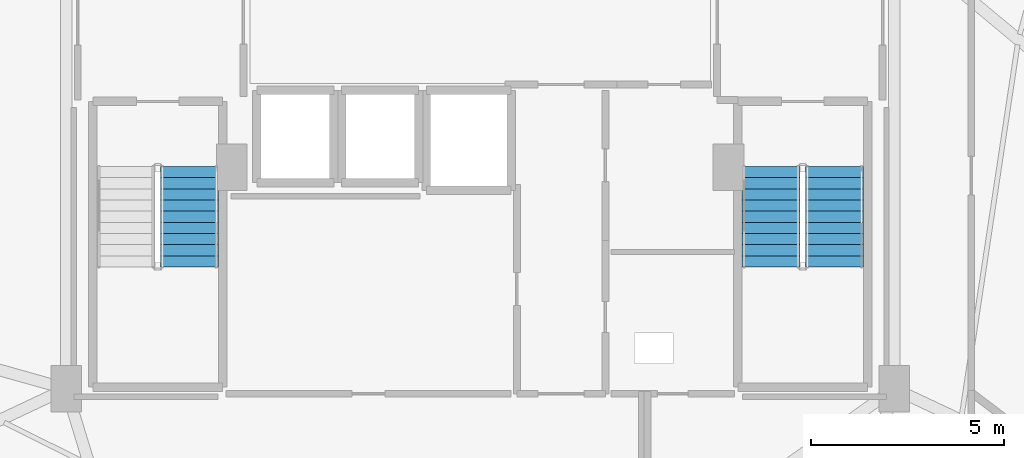
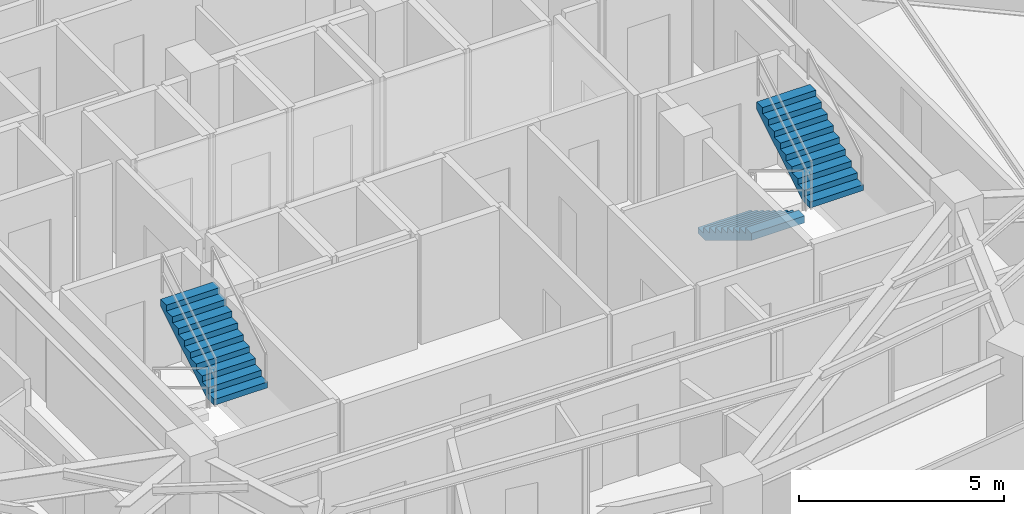
# One storey, part 26 of 30: 3 stair flights, 2 elements without a shape of their own.
"""IFC4 building model written with IfcOpenShell, lengths in metres."""

from ifc_helpers import new_model, si_unit, direction, frame, origin, place, context, subcontext, project, spatial, polyline, outline, extrude, material, type_object, element, aggregate, save


model = new_model("IFC4")

# Units and contexts
model_context = context("Model", 3, precision=1e-05, world=origin(), true_north=direction((0.0, 1.0)))
body_context = subcontext(model_context, "Body", "Model", "MODEL_VIEW")
ifc_project = project(units=[si_unit("LENGTHUNIT", "METRE"), si_unit("AREAUNIT", "SQUARE_METRE"), si_unit("VOLUMEUNIT", "CUBIC_METRE"), si_unit("PLANEANGLEUNIT", "RADIAN"), si_unit("MASSUNIT", "GRAM", prefix="KILO")], contexts=[model_context])

# Site, building, storey
site_placement = place(None, origin())
site = spatial("IfcSite", under=ifc_project, at=site_placement, CompositionType="ELEMENT")
building_placement = place(site_placement, origin())
building = spatial("IfcBuilding", under=site, at=building_placement, Name="Vorneva Point Tower", CompositionType="ELEMENT")
storey_placement = place(building_placement, frame((0.0, 0.0, 92.800048828125)))
storey = spatial("IfcBuildingStorey", under=building, at=storey_placement, Name="L24", CompositionType="ELEMENT", Elevation=92.800048828125)

# Stair, stair flight
ifc_material = material(Name="Concrete B50 (C40/50)", Category="concrete")
stair_type = type_object("IfcStairType", Name="ST-DOG-1500", PredefinedType="HALF_TURN_STAIR", material=ifc_material)
stair_1_placement = place(storey_placement, origin())
stair_1 = element("IfcStair", 1, at=stair_1_placement, inside=storey, type_object=stair_type, Name="L24 ST1", PredefinedType="HALF_TURN_STAIR")
stair_flight_type = type_object("IfcStairFlightType", Name="STF-1500", PredefinedType="STRAIGHT", material=ifc_material)
stair_flight_1_placement = place(storey_placement, frame((30.449951171875, 19.610107421875, 1.75), z_axis=(0.0, 0.0, 1.0), x_axis=(0.0, 1.0, 0.0)))
stair_flight_1 = element("IfcStairFlight", 2, at=stair_flight_1_placement, type_object=stair_flight_type, Name="ST1 flight 2", NumberOfRisers=10, NumberOfTreads=9, PredefinedType="STRAIGHT", RiserHeight=0.175, TreadLength=0.29, context=body_context, shape_type="SweptSolid", body=[
    extrude(outline(polyline([(0.0, 0.0), (0.0, 0.175048828125), (0.2900390625, 0.175048828125), (0.2900390625, 0.35009765625), (0.580078125, 0.35009765625), (0.580078125, 0.52490234375), (0.8701171875, 0.52490234375), (0.8701171875, 0.699951171875), (1.159912109375, 0.699951171875), (1.159912109375, 0.875), (1.449951171875, 0.875), (1.449951171875, 1.050048828125), (1.739990234375, 1.050048828125), (1.739990234375, 1.22509765625), (2.030029296875, 1.22509765625), (2.030029296875, 1.39990234375), (2.320068359375, 1.39990234375), (2.320068359375, 1.574951171875), (2.610107421875, 1.574951171875), (2.610107421875, 1.75), (2.610107421875, 1.36474609375), (0.34814453125, 0.0), (0.0, 0.0)])), frame((0.0, 0.75, 0.0), z_axis=(0.0, -1.0, 0.0), x_axis=(1.0, 0.0, 0.0)), (0.0, 0.0, 1.0), 1.5),
])
aggregate(stair_1, [stair_flight_1])

# Stair, stair flights
stair_2_placement = place(storey_placement, origin())
stair_2 = element("IfcStair", 3, at=stair_2_placement, inside=storey, type_object=stair_type, Name="L24 ST2", PredefinedType="HALF_TURN_STAIR")
stair_flight_2_placement = place(storey_placement, frame((45.550048828125, 22.219970703125, 0.0), z_axis=(0.0, 0.0, 1.0), x_axis=(0.0, -1.0, 0.0)))
stair_flight_2 = element("IfcStairFlight", 4, at=stair_flight_2_placement, type_object=stair_flight_type, Name="ST2 flight 1", NumberOfRisers=10, NumberOfTreads=9, PredefinedType="STRAIGHT", RiserHeight=0.175, TreadLength=0.29, context=body_context, shape_type="SweptSolid", body=[
    extrude(outline(polyline([(0.0, 0.0), (0.0, 0.175048828125), (0.2900390625, 0.175048828125), (0.2900390625, 0.35009765625), (0.580078125, 0.35009765625), (0.580078125, 0.52490234375), (0.8701171875, 0.52490234375), (0.8701171875, 0.699951171875), (1.159912109375, 0.699951171875), (1.159912109375, 0.875), (1.449951171875, 0.875), (1.449951171875, 1.050048828125), (1.739990234375, 1.050048828125), (1.739990234375, 1.22509765625), (2.030029296875, 1.22509765625), (2.030029296875, 1.39990234375), (2.320068359375, 1.39990234375), (2.320068359375, 1.574951171875), (2.610107421875, 1.574951171875), (2.610107421875, 1.75), (2.610107421875, 1.36474609375), (0.34814453125, 0.0), (0.0, 0.0)])), frame((0.0, 0.75, 0.0), z_axis=(0.0, -1.0, 0.0), x_axis=(1.0, 0.0, 0.0)), (0.0, 0.0, 1.0), 1.5),
])
stair_flight_3_placement = place(storey_placement, frame((47.199951171875, 19.610107421875, 1.75), z_axis=(0.0, 0.0, 1.0), x_axis=(0.0, 1.0, 0.0)))
stair_flight_3 = element("IfcStairFlight", 5, at=stair_flight_3_placement, type_object=stair_flight_type, Name="ST2 flight 2", NumberOfRisers=10, NumberOfTreads=9, PredefinedType="STRAIGHT", RiserHeight=0.175, TreadLength=0.29, context=body_context, shape_type="SweptSolid", body=[
    extrude(outline(polyline([(0.0, 0.0), (0.0, 0.175048828125), (0.2900390625, 0.175048828125), (0.2900390625, 0.35009765625), (0.580078125, 0.35009765625), (0.580078125, 0.52490234375), (0.8701171875, 0.52490234375), (0.8701171875, 0.699951171875), (1.159912109375, 0.699951171875), (1.159912109375, 0.875), (1.449951171875, 0.875), (1.449951171875, 1.050048828125), (1.739990234375, 1.050048828125), (1.739990234375, 1.22509765625), (2.030029296875, 1.22509765625), (2.030029296875, 1.39990234375), (2.320068359375, 1.39990234375), (2.320068359375, 1.574951171875), (2.610107421875, 1.574951171875), (2.610107421875, 1.75), (2.610107421875, 1.36474609375), (0.34814453125, 0.0), (0.0, 0.0)])), frame((0.0, 0.75, 0.0), z_axis=(0.0, -1.0, 0.0), x_axis=(1.0, 0.0, 0.0)), (0.0, 0.0, 1.0), 1.5),
])
aggregate(stair_2, [stair_flight_2, stair_flight_3])

save(model, "model.ifc")
